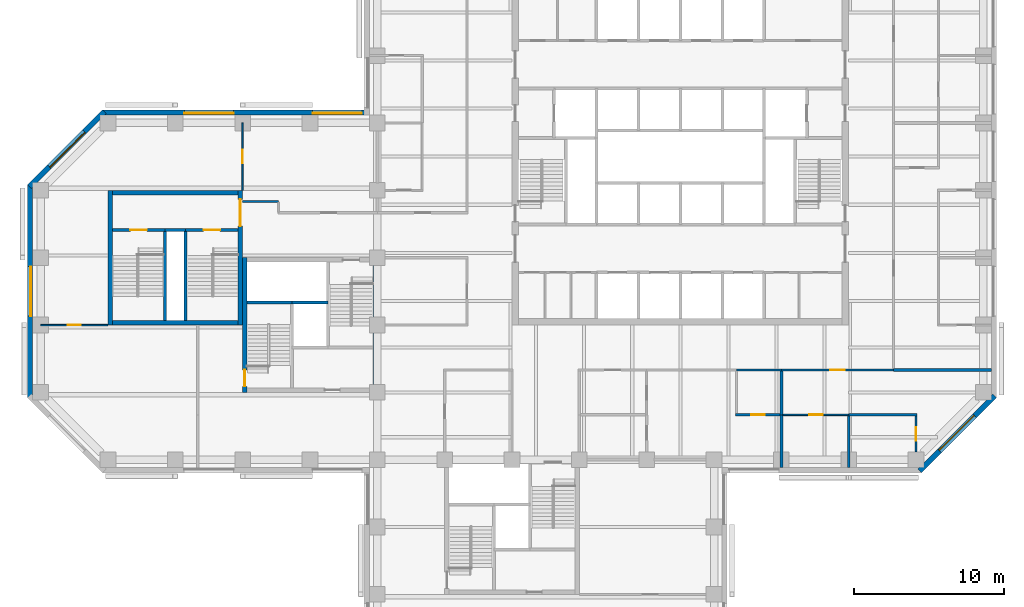
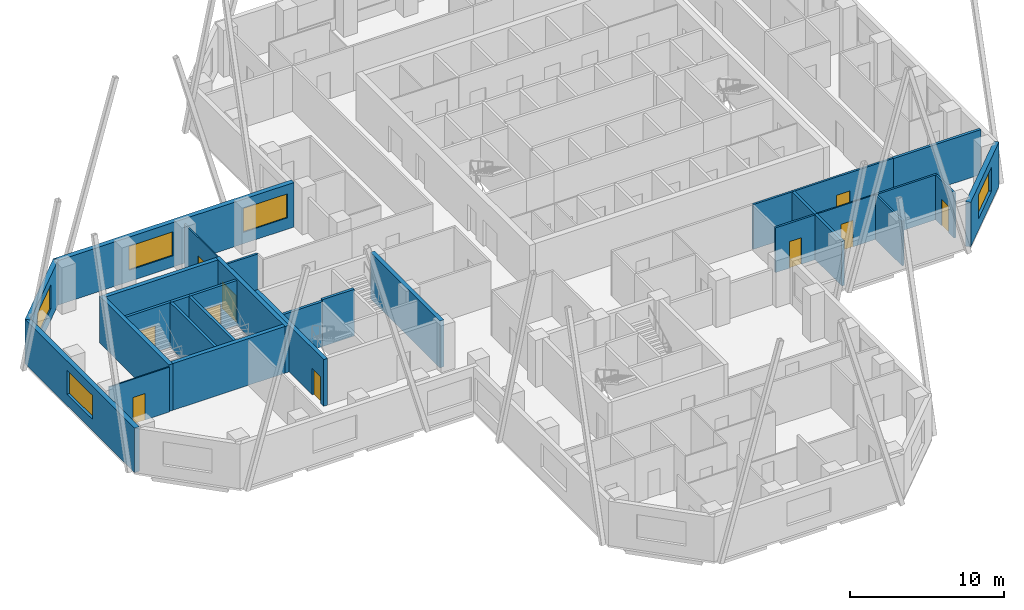
# One storey, part 5 of 11: 30 walls, 10 doors, 5 windows, 15 openings.
"""IFC4 building model written with IfcOpenShell, lengths in metres."""

from ifc_helpers import new_model, si_unit, direction, frame, frame_2d, origin, place, context, subcontext, project, spatial, rectangle, extrude, material, layer, layer_set, constituent, constituent_set, type_object, element, fill, save


model = new_model("IFC4")

# Units and contexts
model_context = context("Model", 3, precision=1e-05, world=origin(), true_north=direction((0.0, 1.0)))
body_context = subcontext(model_context, "Body", "Model", "MODEL_VIEW")
ifc_project = project(units=[si_unit("LENGTHUNIT", "METRE"), si_unit("AREAUNIT", "SQUARE_METRE"), si_unit("VOLUMEUNIT", "CUBIC_METRE"), si_unit("PLANEANGLEUNIT", "RADIAN"), si_unit("MASSUNIT", "GRAM", prefix="KILO")], contexts=[model_context])

# Site, building, storey
site_placement = place(None, origin())
site = spatial("IfcSite", under=ifc_project, at=site_placement, CompositionType="ELEMENT")
building_placement = place(site_placement, origin())
building = spatial("IfcBuilding", under=site, at=building_placement, Name="Quoin Convention Tower", CompositionType="ELEMENT")
storey_placement = place(building_placement, frame((0.0, 0.0, 127.0)))
storey = spatial("IfcBuildingStorey", under=building, at=storey_placement, Name="L33", CompositionType="ELEMENT", Elevation=127.0)

# Walls
ifc_material_1 = material(Name="Plasterboard")
ifc_layer_1 = layer(ifc_material_1, 0.012451171875, Name="Finish")
ifc_material_2 = material(Name="Steel stud framing", Category="steel")
ifc_layer_2 = layer(ifc_material_2, 0.125, Name="Structure")
ifc_layer_3 = layer(ifc_material_1, 0.012451171875, Name="Finish")
ifc_layer_set_1 = layer_set([ifc_layer_1, ifc_layer_2, ifc_layer_3], Name="Steel stud framing")
wall_type_1 = type_object("IfcWallType", Name="Acoustic partition 150", PredefinedType="PARTITIONING", material=ifc_layer_set_1)
wall_1_placement = place(storey_placement, frame((67.5, 43.5, 0.0), z_axis=(0.0, 0.0, 1.0), x_axis=(1.0, 0.0, 0.0)))
element("IfcWall", 1, at=wall_1_placement, inside=storey, type_object=wall_type_1, Name="pw-L33-022", PredefinedType="PARTITIONING", context=body_context, shape_type="SweptSolid", body=[
    extrude(rectangle(XDim=4.574951171875, YDim=0.14990234375, at=frame_2d((2.28759765625, 0.0))), origin(), (0.0, 0.0, 1.0), 3.550048828125),
])
wall_2_placement = place(storey_placement, frame((67.5, 39.97509765625, 0.0), z_axis=(0.0, 0.0, 1.0), x_axis=(0.0, 1.0, 0.0)))
element("IfcWall", 2, at=wall_2_placement, inside=storey, type_object=wall_type_1, Name="pw-L33-072", PredefinedType="PARTITIONING", context=body_context, shape_type="SweptSolid", body=[
    extrude(rectangle(XDim=3.449951171875, YDim=0.14990234375, at=frame_2d((1.72509765625, 0.0))), origin(), (0.0, 0.0, 1.0), 3.550048828125),
])

# Wall, opening, door
wall_3_placement = place(storey_placement, frame((72.0, 41.02490234375, 0.0), z_axis=(0.0, 0.0, 1.0), x_axis=(0.0, 1.0, 0.0)))
wall_3 = element("IfcWall", 3, at=wall_3_placement, inside=storey, type_object=wall_type_1, Name="pw-L33-077", PredefinedType="PARTITIONING", context=body_context, shape_type="SweptSolid", body=[
    extrude(rectangle(XDim=2.400146484375, YDim=0.14990234375, at=frame_2d((1.2001953125, 0.0))), origin(), (0.0, 0.0, 1.0), 3.550048828125),
])
opening_1_placement = place(wall_3_placement, frame((0.75, 0.0, 0.0)))
opening_1 = element("IfcOpeningElement", 4, at=opening_1_placement, cuts=wall_3, Name="Opening DOL7-29", PredefinedType="OPENING", context=body_context, shape_type="SweptSolid", body=[
    extrude(rectangle(XDim=0.89990234375, YDim=2.10009765625, at=frame_2d((0.449951171875, 1.050048828125))), frame((0.0, 0.0849609375, 0.0), z_axis=(0.0, -1.0, 0.0), x_axis=(1.0, 0.0, 0.0)), (0.0, 0.0, 1.0), 0.169921875),
])
ifc_material_3 = material(Name="Steel door leaf", Category="steel")
door_type_1 = type_object("IfcDoorType", Name="Office door 900 x 2100", OperationType="SINGLE_SWING_RIGHT", PredefinedType="DOOR", material=ifc_material_3)
door_1_placement = place(opening_1_placement, frame((0.89990234375, 0.0, 0.0), z_axis=(0.0, 0.0, 1.0), x_axis=(-1.0, 0.0, 0.0)))
door_1 = element("IfcDoor", 5, at=door_1_placement, inside=storey, type_object=door_type_1, Name="dr-L33-24", OperationType="SINGLE_SWING_LEFT", OverallHeight=2.10009765625, OverallWidth=0.89990234375, PredefinedType="DOOR", context=body_context, shape_type="SweptSolid", body=[
    extrude(rectangle(XDim=0.89990234375, YDim=2.10009765625, at=frame_2d((0.449951171875, 1.050048828125))), frame((0.0, 0.02490234375, 0.0), z_axis=(0.0, -1.0, 0.0), x_axis=(1.0, 0.0, 0.0)), (0.0, 0.0, 1.0), 0.050048828125),
])
fill(opening_1, door_1)

# Wall, opening, window
ifc_material_4 = material(Name="Brick masonry", Category="masonry")
ifc_layer_4 = layer(ifc_material_4, 0.35009765625)
ifc_layer_set_2 = layer_set([ifc_layer_4], Name="Brick masonry")
wall_type_2 = type_object("IfcWallType", Name="Brick facade wall", PredefinedType="STANDARD", material=ifc_layer_set_2)
wall_4_placement = place(storey_placement, frame((72.23876953125, 39.748779296875, 0.0), z_axis=(0.0, 0.0, 1.0), x_axis=(0.707106781187, 0.707106781187, 0.0)))
wall_4 = element("IfcWall", 6, at=wall_4_placement, inside=storey, type_object=wall_type_2, Name="fw-L33-72000_40500", PredefinedType="STANDARD", context=body_context, shape_type="SweptSolid", body=[
    extrude(rectangle(XDim=7.088623046875, YDim=0.35009765625, at=frame_2d((3.54443359375, 0.0))), origin(), (0.0, 0.0, 1.0), 3.52490234375),
])
opening_2_placement = place(wall_4_placement, frame((1.894287109375, 0.0, 0.89990234375)))
opening_2 = element("IfcOpeningElement", 7, at=opening_2_placement, cuts=wall_4, Name="Opening W-02", PredefinedType="OPENING", context=body_context, shape_type="SweptSolid", body=[
    extrude(rectangle(XDim=3.300048828125, YDim=1.89990234375, at=frame_2d((1.64990234375, 0.949951171875))), frame((0.0, 0.18505859375, 0.0), z_axis=(0.0, -1.0, 0.0), x_axis=(1.0, 0.0, 0.0)), (0.0, 0.0, 1.0), 0.3701171875),
])
ifc_material_5 = material(Name="Aluminium", Category="aluminium")
ifc_constituent_1 = constituent(ifc_material_5, Name="Frame")
ifc_material_6 = material(Name="Insulated glass", Category="glass")
ifc_constituent_2 = constituent(ifc_material_6, Name="Glazing")
ifc_constituent_set = constituent_set(constituents=[ifc_constituent_1, ifc_constituent_2], Name="Aluminium")
window_type = type_object("IfcWindowType", Name="Office window", PartitioningType="DOUBLE_PANEL_VERTICAL", PredefinedType="WINDOW", material=ifc_constituent_set)
window_1_placement = place(opening_2_placement, origin())
window_1 = element("IfcWindow", 8, at=window_1_placement, inside=storey, type_object=window_type, Name="win-L33-74745_42255", OverallHeight=1.89990234375, OverallWidth=3.300048828125, PartitioningType="SINGLE_PANEL", PredefinedType="WINDOW", context=body_context, shape_type="SweptSolid", body=[
    extrude(rectangle(XDim=3.300048828125, YDim=1.89990234375, at=frame_2d((1.64990234375, 0.949951171875))), frame((0.0, 0.0849609375, 0.0), z_axis=(0.0, -1.0, 0.0), x_axis=(1.0, 0.0, 0.0)), (0.0, 0.0, 1.0), 0.06005859375),
])
fill(opening_2, window_1)

# Wall, openings, windows
wall_5_placement = place(storey_placement, frame((35.47509765625, 63.699951171875, 0.0), z_axis=(0.0, 0.0, 1.0), x_axis=(-1.0, 0.0, 0.0)))
wall_5 = element("IfcWall", 9, at=wall_5_placement, inside=storey, type_object=wall_type_2, Name="fw-L33-36000_63000", PredefinedType="STANDARD", context=body_context, shape_type="SweptSolid", body=[
    extrude(rectangle(XDim=17.83740234375, YDim=0.35009765625, at=frame_2d((8.918701171875, 0.0))), origin(), (0.0, 0.0, 1.0), 3.52490234375),
])
opening_3_placement = place(wall_5_placement, frame((0.5, 0.0, 0.89990234375)))
opening_3 = element("IfcOpeningElement", 10, at=opening_3_placement, cuts=wall_5, Name="Opening W-02", PredefinedType="OPENING", context=body_context, shape_type="SweptSolid", body=[
    extrude(rectangle(XDim=3.300048828125, YDim=1.89990234375, at=frame_2d((1.64990234375, 0.949951171875))), frame((0.0, 0.18505859375, 0.0), z_axis=(0.0, -1.0, 0.0), x_axis=(1.0, 0.0, 0.0)), (0.0, 0.0, 1.0), 0.3701171875),
])
opening_4_placement = place(wall_5_placement, frame((9.074951171875, 0.0, 0.89990234375)))
opening_4 = element("IfcOpeningElement", 11, at=opening_4_placement, cuts=wall_5, Name="Opening W-02", PredefinedType="OPENING", context=body_context, shape_type="SweptSolid", body=[
    extrude(rectangle(XDim=3.300048828125, YDim=1.89990234375, at=frame_2d((1.64990234375, 0.949951171875))), frame((0.0, 0.18505859375, 0.0), z_axis=(0.0, -1.0, 0.0), x_axis=(1.0, 0.0, 0.0)), (0.0, 0.0, 1.0), 0.3701171875),
])
window_2_placement = place(opening_3_placement, origin())
window_2 = element("IfcWindow", 12, at=window_2_placement, inside=storey, type_object=window_type, Name="win-L33-33750_63700", OverallHeight=1.89990234375, OverallWidth=3.300048828125, PartitioningType="SINGLE_PANEL", PredefinedType="WINDOW", context=body_context, shape_type="SweptSolid", body=[
    extrude(rectangle(XDim=3.300048828125, YDim=1.89990234375, at=frame_2d((1.64990234375, 0.949951171875))), frame((0.0, 0.0849609375, 0.0), z_axis=(0.0, -1.0, 0.0), x_axis=(1.0, 0.0, 0.0)), (0.0, 0.0, 1.0), 0.06005859375),
])
fill(opening_3, window_2)
window_3_placement = place(opening_4_placement, origin())
window_3 = element("IfcWindow", 13, at=window_3_placement, inside=storey, type_object=window_type, Name="win-L33-24750_63700", OverallHeight=1.89990234375, OverallWidth=3.300048828125, PartitioningType="SINGLE_PANEL", PredefinedType="WINDOW", context=body_context, shape_type="SweptSolid", body=[
    extrude(rectangle(XDim=3.300048828125, YDim=1.89990234375, at=frame_2d((1.64990234375, 0.949951171875))), frame((0.0, 0.0849609375, 0.0), z_axis=(0.0, -1.0, 0.0), x_axis=(1.0, 0.0, 0.0)), (0.0, 0.0, 1.0), 0.06005859375),
])
fill(opening_4, window_3)

# Wall, opening, window
wall_6_placement = place(storey_placement, frame((17.76123046875, 63.751220703125, 0.0), z_axis=(0.0, 0.0, 1.0), x_axis=(-0.707106781187, -0.707106781187, 0.0)))
wall_6 = element("IfcWall", 14, at=wall_6_placement, inside=storey, type_object=wall_type_2, Name="fw-L33-18000_63000", PredefinedType="STANDARD", context=body_context, shape_type="SweptSolid", body=[
    extrude(rectangle(XDim=7.088623046875, YDim=0.35009765625, at=frame_2d((3.54443359375, 0.0))), origin(), (0.0, 0.0, 1.0), 3.52490234375),
])
opening_5_placement = place(wall_6_placement, frame((1.894287109375, 0.0, 0.89990234375)))
opening_5 = element("IfcOpeningElement", 15, at=opening_5_placement, cuts=wall_6, Name="Opening W-02", PredefinedType="OPENING", context=body_context, shape_type="SweptSolid", body=[
    extrude(rectangle(XDim=3.300048828125, YDim=1.89990234375, at=frame_2d((1.64990234375, 0.949951171875))), frame((0.0, 0.18505859375, 0.0), z_axis=(0.0, -1.0, 0.0), x_axis=(1.0, 0.0, 0.0)), (0.0, 0.0, 1.0), 0.3701171875),
])
window_4_placement = place(opening_5_placement, origin())
window_4 = element("IfcWindow", 16, at=window_4_placement, inside=storey, type_object=window_type, Name="win-L33-15255_61245", OverallHeight=1.89990234375, OverallWidth=3.300048828125, PartitioningType="SINGLE_PANEL", PredefinedType="WINDOW", context=body_context, shape_type="SweptSolid", body=[
    extrude(rectangle(XDim=3.300048828125, YDim=1.89990234375, at=frame_2d((1.64990234375, 0.949951171875))), frame((0.0, 0.0849609375, 0.0), z_axis=(0.0, -1.0, 0.0), x_axis=(1.0, 0.0, 0.0)), (0.0, 0.0, 1.0), 0.06005859375),
])
fill(opening_5, window_4)

wall_7_placement = place(storey_placement, frame((12.800048828125, 58.8623046875, 0.0), z_axis=(0.0, 0.0, 1.0), x_axis=(0.0, -1.0, 0.0)))
wall_7 = element("IfcWall", 17, at=wall_7_placement, inside=storey, type_object=wall_type_2, Name="fw-L33-13500_58500", PredefinedType="STANDARD", context=body_context, shape_type="SweptSolid", body=[
    extrude(rectangle(XDim=14.224609375, YDim=0.35009765625, at=frame_2d((7.1123046875, 0.0))), origin(), (0.0, 0.0, 1.0), 3.52490234375),
])
opening_6_placement = place(wall_7_placement, frame((5.46240234375, 0.0, 0.89990234375)))
opening_6 = element("IfcOpeningElement", 18, at=opening_6_placement, cuts=wall_7, Name="Opening W-02", PredefinedType="OPENING", context=body_context, shape_type="SweptSolid", body=[
    extrude(rectangle(XDim=3.300048828125, YDim=1.89990234375, at=frame_2d((1.64990234375, 0.949951171875))), frame((0.0, 0.18505859375, 0.0), z_axis=(0.0, -1.0, 0.0), x_axis=(1.0, 0.0, 0.0)), (0.0, 0.0, 1.0), 0.3701171875),
])
window_5_placement = place(opening_6_placement, origin())
window_5 = element("IfcWindow", 19, at=window_5_placement, inside=storey, type_object=window_type, Name="win-L33-12800_51750", OverallHeight=1.89990234375, OverallWidth=3.300048828125, PartitioningType="SINGLE_PANEL", PredefinedType="WINDOW", context=body_context, shape_type="SweptSolid", body=[
    extrude(rectangle(XDim=3.300048828125, YDim=1.89990234375, at=frame_2d((1.64990234375, 0.949951171875))), frame((0.0, 0.0849609375, 0.0), z_axis=(0.0, -1.0, 0.0), x_axis=(1.0, 0.0, 0.0)), (0.0, 0.0, 1.0), 0.06005859375),
])
fill(opening_6, window_5)

# Walls
ifc_material_7 = material(Name="Concrete C50", Category="concrete")
ifc_layer_5 = layer(ifc_material_7, 0.199951171875)
ifc_layer_set_3 = layer_set([ifc_layer_5], Name="Concrete C50")
wall_type_3 = type_object("IfcWallType", Name="Core shaft wall", PredefinedType="SOLIDWALL", material=ifc_layer_set_3)
wall_8_placement = place(storey_placement, frame((27.300048828125, 51.0, 0.0), z_axis=(0.0, 0.0, 1.0), x_axis=(1.0, 0.0, 0.0)))
element("IfcWall", 20, at=wall_8_placement, inside=storey, type_object=wall_type_3, Name="cr-P2-L33-h6000_300", PredefinedType="SOLIDWALL", context=body_context, shape_type="SweptSolid", body=[
    extrude(rectangle(XDim=3.0, YDim=0.199951171875, at=frame_2d((1.5, 0.0))), origin(), (0.0, 0.0, 1.0), 3.550048828125),
])
wall_9_placement = place(storey_placement, frame((21.800048828125, 55.85009765625, 0.0), z_axis=(0.0, 0.0, 1.0), x_axis=(1.0, 0.0, 0.0)))
element("IfcWall", 21, at=wall_9_placement, inside=storey, type_object=wall_type_3, Name="cr-P6-L33-h6350_3800", PredefinedType="SOLIDWALL", context=body_context, shape_type="SweptSolid", body=[
    extrude(rectangle(XDim=1.39990234375, YDim=0.199951171875, at=frame_2d((0.699951171875, 0.0))), origin(), (0.0, 0.0, 1.0), 3.550048828125),
])

# Wall, opening, door
wall_10_placement = place(storey_placement, frame((18.300048828125, 55.85009765625, 0.0), z_axis=(0.0, 0.0, 1.0), x_axis=(1.0, 0.0, 0.0)))
wall_10 = element("IfcWall", 22, at=wall_10_placement, inside=storey, type_object=wall_type_3, Name="cr-P6-L33-h6350_300", PredefinedType="SOLIDWALL", context=body_context, shape_type="SweptSolid", body=[
    extrude(rectangle(XDim=3.5, YDim=0.199951171875, at=frame_2d((1.75, 0.0))), origin(), (0.0, 0.0, 1.0), 3.550048828125),
])
opening_7_placement = place(wall_10_placement, frame((1.199951171875, 0.0, 0.0)))
opening_7 = element("IfcOpeningElement", 23, at=opening_7_placement, cuts=wall_10, Name="Opening SD11", PredefinedType="OPENING", context=body_context, shape_type="SweptSolid", body=[
    extrude(rectangle(XDim=1.10009765625, YDim=2.10009765625, at=frame_2d((0.550048828125, 1.050048828125))), frame((0.0, 0.10986328125, 0.0), z_axis=(0.0, -1.0, 0.0), x_axis=(1.0, 0.0, 0.0)), (0.0, 0.0, 1.0), 0.219970703125),
])
door_type_2 = type_object("IfcDoorType", Name="Stair door 1100 x 2100", OperationType="SINGLE_SWING_RIGHT", PredefinedType="DOOR", material=ifc_material_3)
door_2_placement = place(opening_7_placement, origin())
door_2 = element("IfcDoor", 24, at=door_2_placement, inside=storey, type_object=door_type_2, Name="cd-P6-L33-SA-R2-SD11", OperationType="SINGLE_SWING_RIGHT", OverallHeight=2.10009765625, OverallWidth=1.10009765625, PredefinedType="DOOR", context=body_context, shape_type="SweptSolid", body=[
    extrude(rectangle(XDim=1.10009765625, YDim=2.10009765625, at=frame_2d((0.550048828125, 1.050048828125))), frame((0.0, 0.02490234375, 0.0), z_axis=(0.0, -1.0, 0.0), x_axis=(1.0, 0.0, 0.0)), (0.0, 0.0, 1.0), 0.050048828125),
])
fill(opening_7, door_2)

wall_11_placement = place(storey_placement, frame((23.199951171875, 55.85009765625, 0.0), z_axis=(0.0, 0.0, 1.0), x_axis=(1.0, 0.0, 0.0)))
wall_11 = element("IfcWall", 25, at=wall_11_placement, inside=storey, type_object=wall_type_3, Name="cr-P6-L33-h6350_5200", PredefinedType="SOLIDWALL", context=body_context, shape_type="SweptSolid", body=[
    extrude(rectangle(XDim=3.5, YDim=0.199951171875, at=frame_2d((1.75, 0.0))), origin(), (0.0, 0.0, 1.0), 3.550048828125),
])
opening_8_placement = place(wall_11_placement, frame((1.199951171875, 0.0, 0.0)))
opening_8 = element("IfcOpeningElement", 26, at=opening_8_placement, cuts=wall_11, Name="Opening SD12", PredefinedType="OPENING", context=body_context, shape_type="SweptSolid", body=[
    extrude(rectangle(XDim=1.10009765625, YDim=2.10009765625, at=frame_2d((0.550048828125, 1.050048828125))), frame((0.0, 0.10986328125, 0.0), z_axis=(0.0, -1.0, 0.0), x_axis=(1.0, 0.0, 0.0)), (0.0, 0.0, 1.0), 0.219970703125),
])
door_3_placement = place(opening_8_placement, origin())
door_3 = element("IfcDoor", 27, at=door_3_placement, inside=storey, type_object=door_type_2, Name="cd-P6-L33-SB-R2-SD12", OperationType="SINGLE_SWING_RIGHT", OverallHeight=2.10009765625, OverallWidth=1.10009765625, PredefinedType="DOOR", context=body_context, shape_type="SweptSolid", body=[
    extrude(rectangle(XDim=1.10009765625, YDim=2.10009765625, at=frame_2d((0.550048828125, 1.050048828125))), frame((0.0, 0.02490234375, 0.0), z_axis=(0.0, -1.0, 0.0), x_axis=(1.0, 0.0, 0.0)), (0.0, 0.0, 1.0), 0.050048828125),
])
fill(opening_8, door_3)

# Walls
for number, where, z_axis, x_axis, name in (
    (28, (21.800048828125, 49.800048828125, 0.0), (0.0, 0.0, 1.0), (0.0, 1.0, 0.0), "cr-P6-L33-v3800_300"),
    (29, (23.199951171875, 49.800048828125, 0.0), (0.0, 0.0, 1.0), (0.0, 1.0, 0.0), "cr-P6-L33-v5200_300"),
):
    element("IfcWall", number, at=place(storey_placement, frame(where, z_axis=z_axis, x_axis=x_axis)), inside=storey, type_object=wall_type_3, Name=name, PredefinedType="SOLIDWALL", context=body_context, shape_type="SweptSolid", body=[
        extrude(rectangle(XDim=6.050048828125, YDim=0.199951171875, at=frame_2d((3.02490234375, 0.0))), origin(), (0.0, 0.0, 1.0), 3.550048828125),
    ])
ifc_layer_6 = layer(ifc_material_7, 0.199951171875)
ifc_layer_set_4 = layer_set([ifc_layer_6], Name="Concrete C50")
wall_type_4 = type_object("IfcWallType", Name="Core shaft wall to the floor level over", PredefinedType="SOLIDWALL", material=ifc_layer_set_4)
wall_12_placement = place(storey_placement, frame((30.300048828125, 51.0, 0.0), z_axis=(0.0, 0.0, 1.0), x_axis=(1.0, 0.0, 0.0)))
element("IfcWall", 30, at=wall_12_placement, inside=storey, type_object=wall_type_4, Name="cr-P2-L33-h6000_3300", PredefinedType="SOLIDWALL", context=body_context, shape_type="SweptSolid", body=[
    extrude(rectangle(XDim=2.39990234375, YDim=0.199951171875, at=frame_2d((1.199951171875, 0.0))), origin(), (0.0, 0.0, 1.0), 3.699951171875),
])
ifc_layer_7 = layer(ifc_material_1, 0.012451171875, Name="Finish")
ifc_layer_8 = layer(ifc_material_2, 0.125, Name="Structure")
ifc_layer_9 = layer(ifc_material_1, 0.012451171875, Name="Finish")
ifc_layer_set_5 = layer_set([ifc_layer_7, ifc_layer_8, ifc_layer_9], Name="Steel stud framing")
wall_type_5 = type_object("IfcWallType", Name="Corridor wall 150", PredefinedType="PARTITIONING", material=ifc_layer_set_5)
wall_13_placement = place(storey_placement, frame((60.0, 46.5, 0.0), z_axis=(0.0, 0.0, 1.0), x_axis=(1.0, 0.0, 0.0)))
element("IfcWall", 31, at=wall_13_placement, inside=storey, type_object=wall_type_5, Name="pw-L33-026", PredefinedType="PARTITIONING", context=body_context, shape_type="SweptSolid", body=[
    extrude(rectangle(XDim=3.0, YDim=0.14990234375, at=frame_2d((1.5, 0.0))), origin(), (0.0, 0.0, 1.0), 3.550048828125),
])

# Wall, opening, door
wall_14_placement = place(storey_placement, frame((63.0, 46.5, 0.0), z_axis=(0.0, 0.0, 1.0), x_axis=(1.0, 0.0, 0.0)))
wall_14 = element("IfcWall", 32, at=wall_14_placement, inside=storey, type_object=wall_type_5, Name="pw-L33-027", PredefinedType="PARTITIONING", context=body_context, shape_type="SweptSolid", body=[
    extrude(rectangle(XDim=7.5, YDim=0.14990234375, at=frame_2d((3.75, 0.0))), origin(), (0.0, 0.0, 1.0), 3.550048828125),
])
opening_9_placement = place(wall_14_placement, frame((3.25, 0.0, 0.0)))
opening_9 = element("IfcOpeningElement", 33, at=opening_9_placement, cuts=wall_14, Name="Opening DOL7-12", PredefinedType="OPENING", context=body_context, shape_type="SweptSolid", body=[
    extrude(rectangle(XDim=1.0, YDim=2.10009765625, at=frame_2d((0.5, 1.050048828125))), frame((0.0, 0.0849609375, 0.0), z_axis=(0.0, -1.0, 0.0), x_axis=(1.0, 0.0, 0.0)), (0.0, 0.0, 1.0), 0.169921875),
])
door_type_3 = type_object("IfcDoorType", Name="Tenancy entrance door 1000 x 2100", OperationType="DOUBLE_DOOR_SINGLE_SWING", PredefinedType="DOOR", material=ifc_material_3)
door_4_placement = place(opening_9_placement, frame((1.0, 0.0, 0.0), z_axis=(0.0, 0.0, 1.0), x_axis=(-1.0, 0.0, 0.0)))
door_4 = element("IfcDoor", 34, at=door_4_placement, inside=storey, type_object=door_type_3, Name="dr-L33-22", OperationType="DOUBLE_DOOR_SINGLE_SWING", OverallHeight=2.10009765625, OverallWidth=1.0, PredefinedType="DOOR", context=body_context, shape_type="SweptSolid", body=[
    extrude(rectangle(XDim=1.0, YDim=2.10009765625, at=frame_2d((0.5, 1.050048828125))), frame((0.0, 0.02490234375, 0.0), z_axis=(0.0, -1.0, 0.0), x_axis=(1.0, 0.0, 0.0)), (0.0, 0.0, 1.0), 0.050048828125),
])
fill(opening_9, door_4)

# Wall
wall_15_placement = place(storey_placement, frame((27.0, 57.75, 0.0), z_axis=(0.0, 0.0, 1.0), x_axis=(1.0, 0.0, 0.0)))
element("IfcWall", 35, at=wall_15_placement, inside=storey, type_object=wall_type_5, Name="pw-L33-w03", PredefinedType="PARTITIONING", context=body_context, shape_type="SweptSolid", body=[
    extrude(rectangle(XDim=2.39990234375, YDim=0.14990234375, at=frame_2d((1.199951171875, 0.0))), origin(), (0.0, 0.0, 1.0), 3.550048828125),
])

# Wall, opening, door
ifc_material_8 = material(Name="Concrete C65", Category="concrete")
ifc_layer_10 = layer(ifc_material_8, 0.300048828125)
ifc_layer_set_6 = layer_set([ifc_layer_10], Name="Concrete C65")
wall_type_6 = type_object("IfcWallType", Name="RC CORE WALL 300 C65", PredefinedType="SHEAR", material=ifc_layer_set_6)
wall_16_placement = place(storey_placement, frame((27.14990234375, 45.0, 0.0), z_axis=(0.0, 0.0, 1.0), x_axis=(0.0, 1.0, 0.0)))
wall_16 = element("IfcWall", 36, at=wall_16_placement, inside=storey, type_object=wall_type_6, Name="cwl-P2-L33-W", PredefinedType="SHEAR", context=body_context, shape_type="SweptSolid", body=[
    extrude(rectangle(XDim=9.0, YDim=0.300048828125, at=frame_2d((4.5, 0.0))), origin(), (0.0, 0.0, 1.0), 3.699951171875),
])
opening_10_placement = place(wall_16_placement, frame((0.39990234375, 0.0, 0.0)))
opening_10 = element("IfcOpeningElement", 37, at=opening_10_placement, cuts=wall_16, Name="Opening SD3", PredefinedType="OPENING", context=body_context, shape_type="SweptSolid", body=[
    extrude(rectangle(XDim=1.10009765625, YDim=2.10009765625, at=frame_2d((0.550048828125, 1.050048828125))), frame((0.0, 0.159912109375, 0.0), z_axis=(0.0, -1.0, 0.0), x_axis=(1.0, 0.0, 0.0)), (0.0, 0.0, 1.0), 0.320068359375),
])
door_5_placement = place(opening_10_placement, frame((1.10009765625, 0.0, 0.0), z_axis=(0.0, 0.0, 1.0), x_axis=(-1.0, 0.0, 0.0)))
door_5 = element("IfcDoor", 38, at=door_5_placement, inside=storey, type_object=door_type_2, Name="cd-P2-L33-SA-W", OperationType="SINGLE_SWING_RIGHT", OverallHeight=2.10009765625, OverallWidth=1.10009765625, PredefinedType="DOOR", context=body_context, shape_type="SweptSolid", body=[
    extrude(rectangle(XDim=1.10009765625, YDim=2.10009765625, at=frame_2d((0.550048828125, 1.050048828125))), frame((0.0, 0.02490234375, 0.0), z_axis=(0.0, -1.0, 0.0), x_axis=(1.0, 0.0, 0.0)), (0.0, 0.0, 1.0), 0.050048828125),
])
fill(opening_10, door_5)

# Walls
wall_17_placement = place(storey_placement, frame((35.85009765625, 45.0, 0.0), z_axis=(0.0, 0.0, 1.0), x_axis=(0.0, 1.0, 0.0)))
element("IfcWall", 39, at=wall_17_placement, inside=storey, type_object=wall_type_6, Name="cwl-P2-L33-E", PredefinedType="SHEAR", context=body_context, shape_type="SweptSolid", body=[
    extrude(rectangle(XDim=9.0, YDim=0.300048828125, at=frame_2d((4.5, 0.0))), origin(), (0.0, 0.0, 1.0), 3.699951171875),
])
for number, where, z_axis, x_axis, name in (
    (40, (18.300048828125, 49.64990234375, 0.0), (0.0, 0.0, 1.0), (1.0, 0.0, 0.0), "cwl-P6-L33-S"),
    (41, (18.300048828125, 58.35009765625, 0.0), (0.0, 0.0, 1.0), (1.0, 0.0, 0.0), "cwl-P6-L33-N"),
):
    element("IfcWall", number, at=place(storey_placement, frame(where, z_axis=z_axis, x_axis=x_axis)), inside=storey, type_object=wall_type_6, Name=name, PredefinedType="SHEAR", context=body_context, shape_type="SweptSolid", body=[
        extrude(rectangle(XDim=8.39990234375, YDim=0.300048828125, at=frame_2d((4.199951171875, 0.0))), origin(), (0.0, 0.0, 1.0), 3.699951171875),
    ])
wall_18_placement = place(storey_placement, frame((18.14990234375, 49.5, 0.0), z_axis=(0.0, 0.0, 1.0), x_axis=(0.0, 1.0, 0.0)))
element("IfcWall", 42, at=wall_18_placement, inside=storey, type_object=wall_type_6, Name="cwl-P6-L33-W", PredefinedType="SHEAR", context=body_context, shape_type="SweptSolid", body=[
    extrude(rectangle(XDim=9.0, YDim=0.300048828125, at=frame_2d((4.5, 0.0))), origin(), (0.0, 0.0, 1.0), 3.699951171875),
])

# Wall, opening, door
wall_19_placement = place(storey_placement, frame((26.85009765625, 49.5, 0.0), z_axis=(0.0, 0.0, 1.0), x_axis=(0.0, 1.0, 0.0)))
wall_19 = element("IfcWall", 43, at=wall_19_placement, inside=storey, type_object=wall_type_6, Name="cwl-P6-L33-E", PredefinedType="SHEAR", context=body_context, shape_type="SweptSolid", body=[
    extrude(rectangle(XDim=9.0, YDim=0.300048828125, at=frame_2d((4.5, 0.0))), origin(), (0.0, 0.0, 1.0), 3.699951171875),
])
opening_11_placement = place(wall_19_placement, frame((6.60009765625, 0.0, 0.0)))
opening_11 = element("IfcOpeningElement", 44, at=opening_11_placement, cuts=wall_19, Name="Opening DCV5-54", PredefinedType="OPENING", context=body_context, shape_type="SweptSolid", body=[
    extrude(rectangle(XDim=1.800048828125, YDim=2.10009765625, at=frame_2d((0.89990234375, 1.050048828125))), frame((0.0, 0.159912109375, 0.0), z_axis=(0.0, -1.0, 0.0), x_axis=(1.0, 0.0, 0.0)), (0.0, 0.0, 1.0), 0.320068359375),
])
door_type_4 = type_object("IfcDoorType", Name="Goods lobby door 1800 x 2100", OperationType="SINGLE_SWING_LEFT", PredefinedType="DOOR", material=ifc_material_3)
door_6_placement = place(opening_11_placement, origin())
door_6 = element("IfcDoor", 45, at=door_6_placement, inside=storey, type_object=door_type_4, Name="cd-P6-L33-R2-E", OperationType="SINGLE_SWING_LEFT", OverallHeight=2.10009765625, OverallWidth=1.800048828125, PredefinedType="DOOR", context=body_context, shape_type="SweptSolid", body=[
    extrude(rectangle(XDim=1.800048828125, YDim=2.10009765625, at=frame_2d((0.89990234375, 1.050048828125))), frame((0.0, 0.02490234375, 0.0), z_axis=(0.0, -1.0, 0.0), x_axis=(1.0, 0.0, 0.0)), (0.0, 0.0, 1.0), 0.050048828125),
])
fill(opening_11, door_6)

ifc_layer_11 = layer(ifc_material_1, 0.012451171875, Name="Finish")
ifc_layer_12 = layer(ifc_material_2, 0.074951171875, Name="Structure")
ifc_layer_13 = layer(ifc_material_1, 0.012451171875, Name="Finish")
ifc_layer_set_7 = layer_set([ifc_layer_11, ifc_layer_12, ifc_layer_13], Name="Steel stud framing")
wall_type_7 = type_object("IfcWallType", Name="Stud partition 100", PredefinedType="PARTITIONING", material=ifc_layer_set_7)
wall_20_placement = place(storey_placement, frame((63.10009765625, 43.5, 0.0), z_axis=(0.0, 0.0, 1.0), x_axis=(1.0, 0.0, 0.0)))
wall_20 = element("IfcWall", 46, at=wall_20_placement, inside=storey, type_object=wall_type_7, Name="pw-L33-021", PredefinedType="PARTITIONING", context=body_context, shape_type="SweptSolid", body=[
    extrude(rectangle(XDim=4.39990234375, YDim=0.10009765625, at=frame_2d((2.199951171875, 0.0))), origin(), (0.0, 0.0, 1.0), 3.550048828125),
])
opening_12_placement = place(wall_20_placement, frame((1.75, 0.0, 0.0)))
opening_12 = element("IfcOpeningElement", 47, at=opening_12_placement, cuts=wall_20, Name="Opening DOL7-10", PredefinedType="OPENING", context=body_context, shape_type="SweptSolid", body=[
    extrude(rectangle(XDim=0.89990234375, YDim=2.10009765625, at=frame_2d((0.449951171875, 1.050048828125))), frame((0.0, 0.06005859375, 0.0), z_axis=(0.0, -1.0, 0.0), x_axis=(1.0, 0.0, 0.0)), (0.0, 0.0, 1.0), 0.1201171875),
])
door_7_placement = place(opening_12_placement, origin())
door_7 = element("IfcDoor", 48, at=door_7_placement, inside=storey, type_object=door_type_1, Name="dr-L33-23", OperationType="SINGLE_SWING_RIGHT", OverallHeight=2.10009765625, OverallWidth=0.89990234375, PredefinedType="DOOR", context=body_context, shape_type="SweptSolid", body=[
    extrude(rectangle(XDim=0.89990234375, YDim=2.10009765625, at=frame_2d((0.449951171875, 1.050048828125))), frame((0.0, 0.02490234375, 0.0), z_axis=(0.0, -1.0, 0.0), x_axis=(1.0, 0.0, 0.0)), (0.0, 0.0, 1.0), 0.050048828125),
])
fill(opening_12, door_7)

wall_21_placement = place(storey_placement, frame((27.0, 63.0, 0.0), z_axis=(0.0, 0.0, 1.0), x_axis=(0.0, -1.0, 0.0)))
wall_21 = element("IfcWall", 49, at=wall_21_placement, inside=storey, type_object=wall_type_7, Name="pw-L33-w01", PredefinedType="PARTITIONING", context=body_context, shape_type="SweptSolid", body=[
    extrude(rectangle(XDim=4.5, YDim=0.10009765625, at=frame_2d((2.25, 0.0))), origin(), (0.0, 0.0, 1.0), 3.550048828125),
])
opening_13_placement = place(wall_21_placement, frame((1.800048828125, 0.0, 0.0)))
opening_13 = element("IfcOpeningElement", 50, at=opening_13_placement, cuts=wall_21, Name="Opening DOL7-37", PredefinedType="OPENING", context=body_context, shape_type="SweptSolid", body=[
    extrude(rectangle(XDim=0.89990234375, YDim=2.10009765625, at=frame_2d((0.449951171875, 1.050048828125))), frame((0.0, 0.06005859375, 0.0), z_axis=(0.0, -1.0, 0.0), x_axis=(1.0, 0.0, 0.0)), (0.0, 0.0, 1.0), 0.1201171875),
])
door_8_placement = place(opening_13_placement, frame((0.89990234375, 0.0, 0.0), z_axis=(0.0, 0.0, 1.0), x_axis=(-1.0, 0.0, 0.0)))
door_8 = element("IfcDoor", 51, at=door_8_placement, inside=storey, type_object=door_type_1, Name="dr-L33-w02", OperationType="SINGLE_SWING_RIGHT", OverallHeight=2.10009765625, OverallWidth=0.89990234375, PredefinedType="DOOR", context=body_context, shape_type="SweptSolid", body=[
    extrude(rectangle(XDim=0.89990234375, YDim=2.10009765625, at=frame_2d((0.449951171875, 1.050048828125))), frame((0.0, 0.02490234375, 0.0), z_axis=(0.0, -1.0, 0.0), x_axis=(1.0, 0.0, 0.0)), (0.0, 0.0, 1.0), 0.050048828125),
])
fill(opening_13, door_8)

wall_22_placement = place(storey_placement, frame((13.5, 49.5, 0.0), z_axis=(0.0, 0.0, 1.0), x_axis=(1.0, 0.0, 0.0)))
wall_22 = element("IfcWall", 52, at=wall_22_placement, inside=storey, type_object=wall_type_7, Name="pw-L33-w02", PredefinedType="PARTITIONING", context=body_context, shape_type="SweptSolid", body=[
    extrude(rectangle(XDim=4.5, YDim=0.10009765625, at=frame_2d((2.25, 0.0))), origin(), (0.0, 0.0, 1.0), 3.550048828125),
])
opening_14_placement = place(wall_22_placement, frame((1.800048828125, 0.0, 0.0)))
opening_14 = element("IfcOpeningElement", 53, at=opening_14_placement, cuts=wall_22, Name="Opening DOL7-38", PredefinedType="OPENING", context=body_context, shape_type="SweptSolid", body=[
    extrude(rectangle(XDim=0.89990234375, YDim=2.10009765625, at=frame_2d((0.449951171875, 1.050048828125))), frame((0.0, 0.06005859375, 0.0), z_axis=(0.0, -1.0, 0.0), x_axis=(1.0, 0.0, 0.0)), (0.0, 0.0, 1.0), 0.1201171875),
])
door_9_placement = place(opening_14_placement, origin())
door_9 = element("IfcDoor", 54, at=door_9_placement, inside=storey, type_object=door_type_1, Name="dr-L33-w03", OperationType="SINGLE_SWING_RIGHT", OverallHeight=2.10009765625, OverallWidth=0.89990234375, PredefinedType="DOOR", context=body_context, shape_type="SweptSolid", body=[
    extrude(rectangle(XDim=0.89990234375, YDim=2.10009765625, at=frame_2d((0.449951171875, 1.050048828125))), frame((0.0, 0.02490234375, 0.0), z_axis=(0.0, -1.0, 0.0), x_axis=(1.0, 0.0, 0.0)), (0.0, 0.0, 1.0), 0.050048828125),
])
fill(opening_14, door_9)

# Walls
ifc_layer_14 = layer(ifc_material_1, 0.012451171875, Name="Finish")
ifc_layer_15 = layer(ifc_material_2, 0.175048828125, Name="Structure")
ifc_layer_16 = layer(ifc_material_1, 0.012451171875, Name="Finish")
ifc_layer_set_8 = layer_set([ifc_layer_14, ifc_layer_15, ifc_layer_16], Name="Steel stud framing")
wall_type_8 = type_object("IfcWallType", Name="Tenancy demising wall 200", PredefinedType="PARTITIONING", material=ifc_layer_set_8)
wall_23_placement = place(storey_placement, frame((70.5, 46.5, 0.0), z_axis=(0.0, 0.0, 1.0), x_axis=(1.0, 0.0, 0.0)))
element("IfcWall", 55, at=wall_23_placement, inside=storey, type_object=wall_type_8, Name="pw-L33-028", PredefinedType="PARTITIONING", context=body_context, shape_type="SweptSolid", body=[
    extrude(rectangle(XDim=6.52490234375, YDim=0.199951171875, at=frame_2d((3.262451171875, 0.0))), origin(), (0.0, 0.0, 1.0), 3.550048828125),
])
wall_24_placement = place(storey_placement, frame((63.0, 39.97509765625, 0.0), z_axis=(0.0, 0.0, 1.0), x_axis=(0.0, 1.0, 0.0)))
element("IfcWall", 56, at=wall_24_placement, inside=storey, type_object=wall_type_8, Name="pw-L33-071", PredefinedType="PARTITIONING", context=body_context, shape_type="SweptSolid", body=[
    extrude(rectangle(XDim=3.52490234375, YDim=0.199951171875, at=frame_2d((1.762451171875, 0.0))), origin(), (0.0, 0.0, 1.0), 3.550048828125),
])
wall_25_placement = place(storey_placement, frame((63.0, 43.5, 0.0), z_axis=(0.0, 0.0, 1.0), x_axis=(0.0, 1.0, 0.0)))
element("IfcWall", 57, at=wall_25_placement, inside=storey, type_object=wall_type_8, Name="pw-L33-081", PredefinedType="PARTITIONING", context=body_context, shape_type="SweptSolid", body=[
    extrude(rectangle(XDim=2.925048828125, YDim=0.199951171875, at=frame_2d((1.46240234375, 0.0))), origin(), (0.0, 0.0, 1.0), 3.550048828125),
])

# Wall, opening, door
ifc_layer_17 = layer(ifc_material_1, 0.012451171875, Name="Finish")
ifc_layer_18 = layer(ifc_material_2, 0.125, Name="Structure")
ifc_layer_19 = layer(ifc_material_1, 0.012451171875, Name="Finish")
ifc_layer_set_9 = layer_set([ifc_layer_17, ifc_layer_18, ifc_layer_19], Name="Steel stud framing")
wall_type_9 = type_object("IfcWallType", Name="Wet area partition 150", PredefinedType="PARTITIONING", material=ifc_layer_set_9)
wall_26_placement = place(storey_placement, frame((59.925048828125, 43.5, 0.0), z_axis=(0.0, 0.0, 1.0), x_axis=(1.0, 0.0, 0.0)))
wall_26 = element("IfcWall", 58, at=wall_26_placement, inside=storey, type_object=wall_type_9, Name="pw-L33-020", PredefinedType="PARTITIONING", context=body_context, shape_type="SweptSolid", body=[
    extrude(rectangle(XDim=2.974853515625, YDim=0.14990234375, at=frame_2d((1.4873046875, 0.0))), origin(), (0.0, 0.0, 1.0), 3.550048828125),
])
opening_15_placement = place(wall_26_placement, frame((1.050048828125, 0.0, 0.0)))
opening_15 = element("IfcOpeningElement", 59, at=opening_15_placement, cuts=wall_26, Name="Opening DOL7-09", PredefinedType="OPENING", context=body_context, shape_type="SweptSolid", body=[
    extrude(rectangle(XDim=0.89990234375, YDim=2.10009765625, at=frame_2d((0.449951171875, 1.050048828125))), frame((0.0, 0.0849609375, 0.0), z_axis=(0.0, -1.0, 0.0), x_axis=(1.0, 0.0, 0.0)), (0.0, 0.0, 1.0), 0.169921875),
])
door_10_placement = place(opening_15_placement, frame((0.89990234375, 0.0, 0.0), z_axis=(0.0, 0.0, 1.0), x_axis=(-1.0, 0.0, 0.0)))
door_10 = element("IfcDoor", 60, at=door_10_placement, inside=storey, type_object=door_type_1, Name="dr-L33-20", OperationType="SINGLE_SWING_LEFT", OverallHeight=2.10009765625, OverallWidth=0.89990234375, PredefinedType="DOOR", context=body_context, shape_type="SweptSolid", body=[
    extrude(rectangle(XDim=0.89990234375, YDim=2.10009765625, at=frame_2d((0.449951171875, 1.050048828125))), frame((0.0, 0.02490234375, 0.0), z_axis=(0.0, -1.0, 0.0), x_axis=(1.0, 0.0, 0.0)), (0.0, 0.0, 1.0), 0.050048828125),
])
fill(opening_15, door_10)

save(model, "model.ifc")
